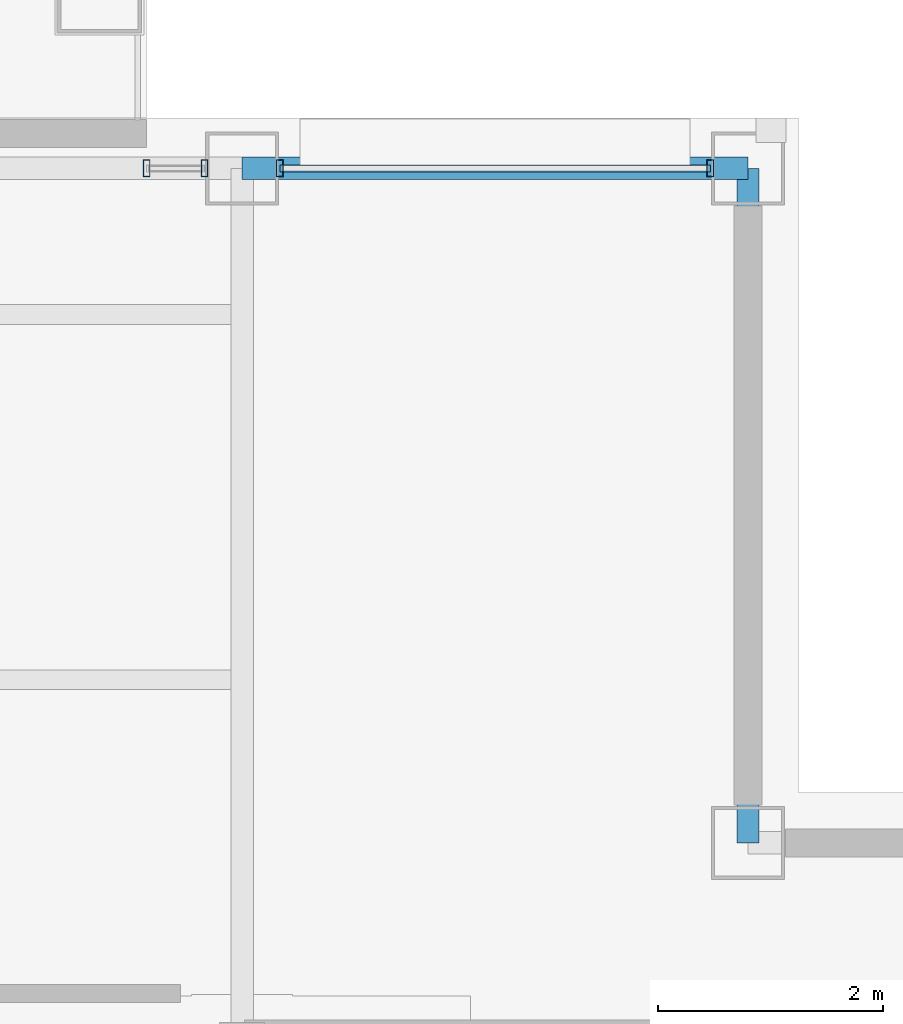
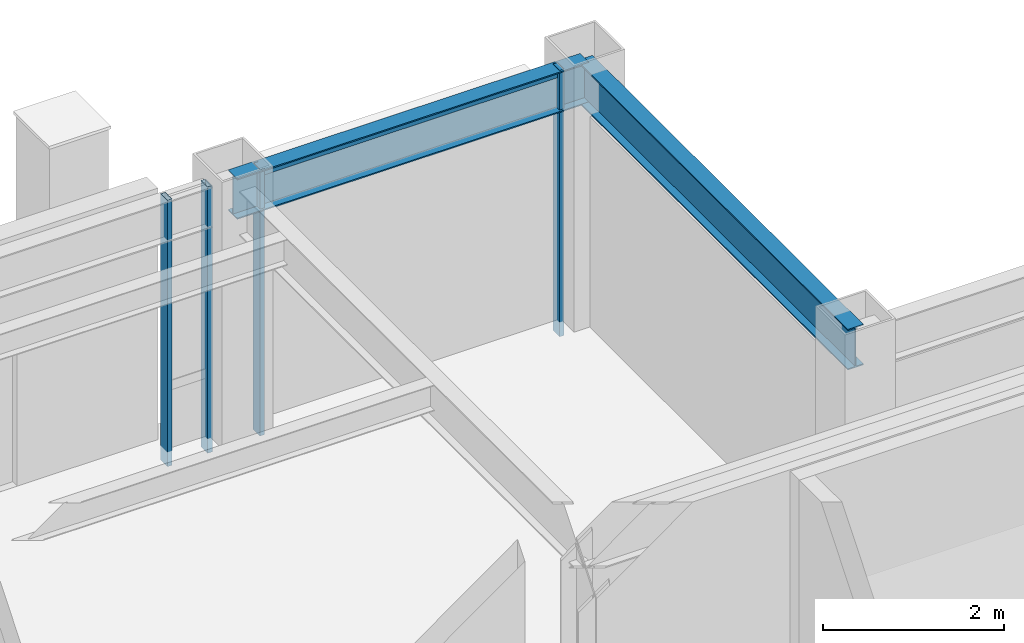
# One storey, part 16 of 24: 5 members, 2 beams, 2 elements without a shape of their own.
"""IFC4 building model written with IfcOpenShell, lengths in metres."""

from ifc_helpers import new_model, si_unit, direction, frame, origin, origin_2d, place, context, subcontext, project, spatial, hollow_rectangle, i_section, extrude, material, layer, layer_set, material_profile, profile_set, type_object, element, aggregate, save


model = new_model("IFC4")

# Units and contexts
model_context = context("Model", 3, precision=1e-05, world=origin(), true_north=direction((0.0, 1.0)))
body_context = subcontext(model_context, "Body", "Model", "MODEL_VIEW")
ifc_project = project(units=[si_unit("LENGTHUNIT", "METRE"), si_unit("AREAUNIT", "SQUARE_METRE"), si_unit("VOLUMEUNIT", "CUBIC_METRE"), si_unit("PLANEANGLEUNIT", "RADIAN"), si_unit("MASSUNIT", "GRAM", prefix="KILO")], contexts=[model_context])

# Site, building, storey
site_placement = place(None, origin())
site = spatial("IfcSite", under=ifc_project, at=site_placement, CompositionType="ELEMENT")
building_placement = place(site_placement, origin())
building = spatial("IfcBuilding", under=site, at=building_placement, Name="Brelmoor Portico Tower", CompositionType="ELEMENT")
storey_placement = place(building_placement, frame((0.0, 0.0, 232.800048828125)))
storey = spatial("IfcBuildingStorey", under=building, at=storey_placement, Name="L61", CompositionType="ELEMENT", Elevation=232.800048828125)

# Beams
ifc_material_1 = material(Name="Steel Q355B", Category="steel")
ifc_material_profile_1 = material_profile(ifc_material_1, i_section(OverallWidth=0.199951171875, OverallDepth=0.550048828125, WebThickness=0.010009765625, FlangeThickness=0.01611328125, at=origin_2d()), Name="HN 550x200x10x16")
ifc_profile_set_1 = profile_set([ifc_material_profile_1], Name="Steel Q355B")
beam_type = type_object("IfcBeamType", Name="BM-SP-550", PredefinedType="SPANDREL", material=ifc_profile_set_1)
beam_1_placement = place(storey_placement, frame((8.050048828125, 17.550048828125, 3.125), z_axis=(1.0, 0.0, 0.0), x_axis=(0.0, 1.0, 0.0)))
element("IfcBeam", 1, at=beam_1_placement, inside=storey, type_object=beam_type, Name="L61 Perimeter Spandrel Beam SP-10", PredefinedType="SPANDREL", context=body_context, shape_type="SweptSolid", body=[
    extrude(i_section(OverallWidth=0.199951171875, OverallDepth=0.550048828125, WebThickness=0.010009765625, FlangeThickness=0.01611328125, at=origin_2d()), origin(), (0.0, 0.0, 1.0), 4.5),
])
beam_2_placement = place(storey_placement, frame((12.550048828125, 11.550048828125, 3.125), z_axis=(0.0, 1.0, 0.0), x_axis=(-1.0, 0.0, 0.0)))
element("IfcBeam", 2, at=beam_2_placement, inside=storey, type_object=beam_type, Name="L61 Perimeter Spandrel Beam SP-17", PredefinedType="SPANDREL", context=body_context, shape_type="SweptSolid", body=[
    extrude(i_section(OverallWidth=0.199951171875, OverallDepth=0.550048828125, WebThickness=0.010009765625, FlangeThickness=0.01611328125, at=origin_2d()), origin(), (0.0, 0.0, 1.0), 6.0),
])

# Curtain wall, members
ifc_material_2 = material(Name="Anodised Aluminium Alloy 6063-T6", Category="aluminium")
ifc_layer_1 = layer(ifc_material_2, 0.179931640625)
ifc_layer_set_1 = layer_set([ifc_layer_1], Name="Anodised Aluminium Alloy 6063-T6")
curtain_wall_type_1 = type_object("IfcCurtainWallType", Name="CW-TOWER-Z4", PredefinedType="NOTDEFINED", material=ifc_layer_set_1)
curtain_wall_1_placement = place(storey_placement, origin())
curtain_wall_1 = element("IfcCurtainWall", 3, at=curtain_wall_1_placement, inside=storey, type_object=curtain_wall_type_1, Name="L61 Curtain Wall CW-L61-2R-1", PredefinedType="NOTDEFINED")
ifc_material_profile_2 = material_profile(ifc_material_2, hollow_rectangle(XDim=0.06005859375, YDim=0.14990234375, WallThickness=0.00390625, at=origin_2d()), Name="ALU MULLION 60x150")
ifc_profile_set_2 = profile_set([ifc_material_profile_2], Name="Anodised Aluminium Alloy 6063-T6")
member_type_1 = type_object("IfcMemberType", Name="MB-CW-MULL-150", PredefinedType="MULLION", material=ifc_profile_set_2)
member_1_placement = place(storey_placement, frame((7.199951171875, 17.550048828125, -0.199951171875), z_axis=(0.0, 0.0, 1.0), x_axis=(1.0, 0.0, 0.0)))
member_1 = element("IfcMember", 4, at=member_1_placement, type_object=member_type_1, Name="CW-L61-2R-1 Mullion 00", PredefinedType="MULLION", context=body_context, shape_type="SweptSolid", body=[
    extrude(hollow_rectangle(XDim=0.06005859375, YDim=0.14990234375, WallThickness=0.00390625, at=origin_2d()), origin(), (0.0, 0.0, 1.0), 3.599853515625),
])
member_2_placement = place(storey_placement, frame((7.715087890625, 17.550048828125, -0.199951171875), z_axis=(0.0, 0.0, 1.0), x_axis=(1.0, 0.0, 0.0)))
member_2 = element("IfcMember", 5, at=member_2_placement, type_object=member_type_1, Name="CW-L61-2R-1 Mullion 01", PredefinedType="MULLION", context=body_context, shape_type="SweptSolid", body=[
    extrude(hollow_rectangle(XDim=0.06005859375, YDim=0.14990234375, WallThickness=0.00390625, at=origin_2d()), origin(), (0.0, 0.0, 1.0), 3.599853515625),
])
aggregate(curtain_wall_1, [member_1, member_2])

ifc_layer_2 = layer(ifc_material_2, 0.179931640625)
ifc_layer_set_2 = layer_set([ifc_layer_2], Name="Anodised Aluminium Alloy 6063-T6")
curtain_wall_type_2 = type_object("IfcCurtainWallType", Name="CW-TOWER-Z4-XB", PredefinedType="NOTDEFINED", material=ifc_layer_set_2)
curtain_wall_2_placement = place(storey_placement, origin())
curtain_wall_2 = element("IfcCurtainWall", 6, at=curtain_wall_2_placement, inside=storey, type_object=curtain_wall_type_2, Name="L61 Curtain Wall CW-L61-2R-2", PredefinedType="NOTDEFINED")
member_3_placement = place(storey_placement, frame((8.385009765625, 17.550048828125, -0.199951171875), z_axis=(0.0, 0.0, 1.0), x_axis=(1.0, 0.0, 0.0)))
member_3 = element("IfcMember", 7, at=member_3_placement, type_object=member_type_1, Name="CW-L61-2R-2 Mullion 00", PredefinedType="MULLION", context=body_context, shape_type="SweptSolid", body=[
    extrude(hollow_rectangle(XDim=0.06005859375, YDim=0.14990234375, WallThickness=0.00390625, at=origin_2d()), origin(), (0.0, 0.0, 1.0), 3.599853515625),
])
member_4_placement = place(storey_placement, frame((12.215087890625, 17.550048828125, -0.199951171875), z_axis=(0.0, 0.0, 1.0), x_axis=(1.0, 0.0, 0.0)))
member_4 = element("IfcMember", 8, at=member_4_placement, type_object=member_type_1, Name="CW-L61-2R-2 Mullion 01", PredefinedType="MULLION", context=body_context, shape_type="SweptSolid", body=[
    extrude(hollow_rectangle(XDim=0.06005859375, YDim=0.14990234375, WallThickness=0.00390625, at=origin_2d()), origin(), (0.0, 0.0, 1.0), 3.599853515625),
])
ifc_material_profile_3 = material_profile(ifc_material_2, hollow_rectangle(XDim=0.06005859375, YDim=0.125, WallThickness=0.00341796875, at=origin_2d()), Name="ALU TRANSOM 60x125")
ifc_profile_set_3 = profile_set([ifc_material_profile_3], Name="Anodised Aluminium Alloy 6063-T6")
member_type_2 = type_object("IfcMemberType", Name="MB-CW-TRAN-125", PredefinedType="USERDEFINED", material=ifc_profile_set_3)
member_5_placement = place(storey_placement, frame((8.385009765625, 17.550048828125, 3.33740234375), z_axis=(1.0, 0.0, 0.0), x_axis=(0.0, 1.0, 0.0)))
member_5 = element("IfcMember", 9, at=member_5_placement, type_object=member_type_2, Name="CW-L61-2R-2 Transom 1-00", ObjectType="TRANSOM", PredefinedType="USERDEFINED", context=body_context, shape_type="SweptSolid", body=[
    extrude(hollow_rectangle(XDim=0.06005859375, YDim=0.125, WallThickness=0.00341796875, at=origin_2d()), origin(), (0.0, 0.0, 1.0), 3.830078125),
])
aggregate(curtain_wall_2, [member_3, member_4, member_5])

save(model, "model.ifc")
